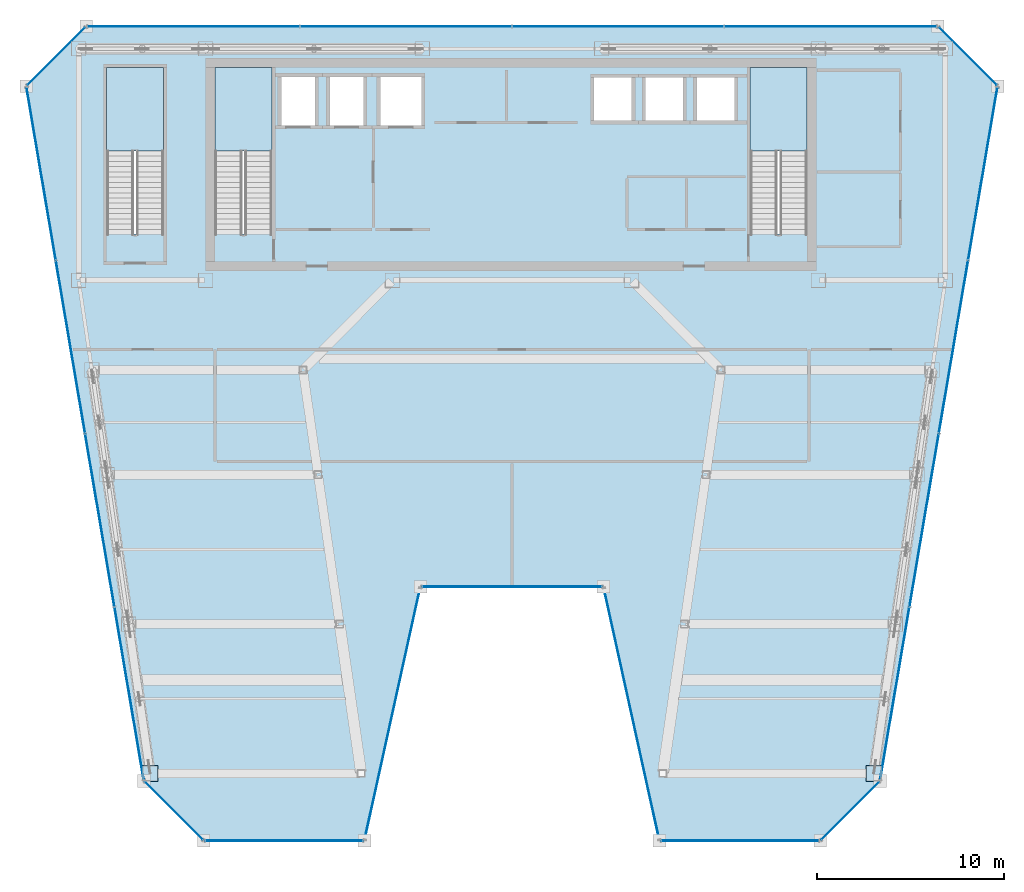
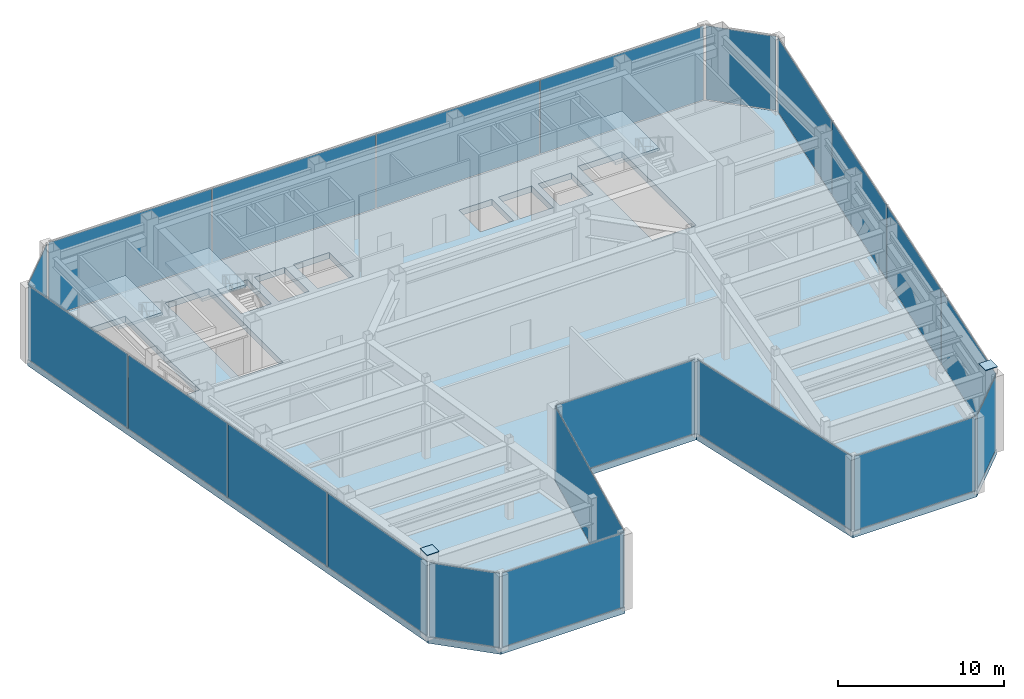
# One storey, part 28 of 34: 23 plates, 4 slabs, 15 elements without a shape of their own.
"""IFC4 building model written with IfcOpenShell, lengths in metres."""

from ifc_helpers import new_model, si_unit, direction, frame, origin, origin_2d, place, context, subcontext, project, spatial, polyline, rectangle, outline, extrude, material, layer, layer_set, type_object, element, aggregate, save


model = new_model("IFC4")

# Units and contexts
model_context = context("Model", 3, precision=1e-05, world=origin(), true_north=direction((0.0, 1.0)))
body_context = subcontext(model_context, "Body", "Model", "MODEL_VIEW")
ifc_project = project(units=[si_unit("LENGTHUNIT", "METRE"), si_unit("AREAUNIT", "SQUARE_METRE"), si_unit("VOLUMEUNIT", "CUBIC_METRE"), si_unit("PLANEANGLEUNIT", "RADIAN"), si_unit("MASSUNIT", "GRAM", prefix="KILO")], contexts=[model_context])

# Site, building, storey
site_placement = place(None, origin())
site = spatial("IfcSite", under=ifc_project, at=site_placement, CompositionType="ELEMENT")
building_placement = place(site_placement, origin())
building = spatial("IfcBuilding", under=site, at=building_placement, Name="Saevonmaru Cultural Tower", CompositionType="ELEMENT")
storey_placement = place(building_placement, frame((0.0, 0.0, 224.60009765625)))
storey = spatial("IfcBuildingStorey", under=building, at=storey_placement, Name="L52", CompositionType="ELEMENT", Elevation=224.60009765625)

# Plates
ifc_material_1 = material(Name="Steel HSA600 (600 MPa)", Category="steel")
ifc_layer_1 = layer(ifc_material_1, 0.0400390625, Name="Steel HSA600 (600 MPa)")
ifc_layer_set_1 = layer_set([ifc_layer_1], Name="Steel HSA600 (600 MPa)")
plate_type_1 = type_object("IfcPlateType", Name="PL-CAP-800", PredefinedType="USERDEFINED", material=ifc_layer_set_1)
for number, where, z_axis, x_axis, name in (
    (1, (49.3720703125, 16.0, 5.994873046875), (0.0, 0.0, 1.0), (1.0, 0.0, 0.0), "Column head cap plate TC-EO-Y160 L52"),
    (2, (10.6279296875, 16.0, 5.994873046875), (0.0, 0.0, 1.0), (1.0, 0.0, 0.0), "Column head cap plate TC-WO-Y160 L52"),
):
    element("IfcPlate", number, at=place(storey_placement, frame(where, z_axis=z_axis, x_axis=x_axis)), inside=storey, type_object=plate_type_1, Name=name, ObjectType="CAP_PLATE", PredefinedType="USERDEFINED", context=body_context, shape_type="SweptSolid", body=[
        extrude(rectangle(XDim=0.840087890625, YDim=0.840087890625, at=origin_2d()), origin(), (0.0, 0.0, 1.0), 0.0400390625),
    ])

# Curtain wall, plate
ifc_material_2 = material(Name="Satin Bronze Anodised Aluminium", Category="aluminium")
curtain_wall_type = type_object("IfcCurtainWallType", Name="CW-TYP-B", PredefinedType="NOTDEFINED", material=ifc_material_2)
curtain_wall_1_placement = place(storey_placement, origin())
curtain_wall_1 = element("IfcCurtainWall", 3, at=curtain_wall_1_placement, inside=storey, type_object=curtain_wall_type, Name="L52 Wind-Floor Acoustic Louvre Screen E1", PredefinedType="NOTDEFINED")
ifc_material_3 = material(Name="Champagne Bronze Anodised Aluminium", Category="aluminium")
ifc_layer_2 = layer(ifc_material_3, 0.080078125, Name="Champagne Bronze Anodised Aluminium")
ifc_layer_set_2 = layer_set([ifc_layer_2], Name="Champagne Bronze Anodised Aluminium")
plate_type_2 = type_object("IfcPlateType", Name="PN-LOUVRE-WIND", PredefinedType="CURTAIN_PANEL", material=ifc_layer_set_2)
plate_1_placement = place(storey_placement, frame((11.897705078125, 14.0, 0.06689453125), z_axis=(0.0, 0.0, 1.0), x_axis=(0.707106781187, -0.707106781187, 0.0)))
plate_1 = element("IfcPlate", 4, at=plate_1_placement, type_object=plate_type_2, Name="CW-TW-L52-E1 panel 1.1", PredefinedType="CURTAIN_PANEL", context=body_context, shape_type="SweptSolid", body=[
    extrude(rectangle(XDim=4.336669921875, YDim=0.035888671875, at=origin_2d()), origin(), (0.0, 0.0, 1.0), 5.416015625),
])
aggregate(curtain_wall_1, [plate_1])

curtain_wall_2_placement = place(storey_placement, origin())
curtain_wall_2 = element("IfcCurtainWall", 5, at=curtain_wall_2_placement, inside=storey, type_object=curtain_wall_type, Name="L52 Wind-Floor Acoustic Louvre Screen E2", PredefinedType="NOTDEFINED")
plate_2_placement = place(storey_placement, frame((17.7978515625, 12.39990234375, 0.06689453125), z_axis=(0.0, 0.0, 1.0), x_axis=(1.0, 0.0, 0.0)))
plate_2 = element("IfcPlate", 6, at=plate_2_placement, type_object=plate_type_2, Name="CW-TW-L52-E2 panel 1.1", PredefinedType="CURTAIN_PANEL", context=body_context, shape_type="SweptSolid", body=[
    extrude(rectangle(XDim=8.410888671875, YDim=0.035888671875, at=origin_2d()), origin(), (0.0, 0.0, 1.0), 5.416015625),
])
aggregate(curtain_wall_2, [plate_2])

curtain_wall_3_placement = place(storey_placement, origin())
curtain_wall_3 = element("IfcCurtainWall", 7, at=curtain_wall_3_placement, inside=storey, type_object=curtain_wall_type, Name="L52 Wind-Floor Acoustic Louvre Screen E3", PredefinedType="NOTDEFINED")
plate_3_placement = place(storey_placement, frame((23.597900390625, 19.199951171875, 0.06689453125), z_axis=(0.0, 0.0, 1.0), x_axis=(0.215413319953, 0.976522965212, 0.0)))
plate_3 = element("IfcPlate", 8, at=plate_3_placement, type_object=plate_type_2, Name="CW-TW-L52-E3 panel 1.1", PredefinedType="CURTAIN_PANEL", context=body_context, shape_type="SweptSolid", body=[
    extrude(rectangle(XDim=13.738037109375, YDim=0.035888671875, at=origin_2d()), origin(), (0.0, 0.0, 1.0), 5.416015625),
])
aggregate(curtain_wall_3, [plate_3])

curtain_wall_4_placement = place(storey_placement, origin())
curtain_wall_4 = element("IfcCurtainWall", 9, at=curtain_wall_4_placement, inside=storey, type_object=curtain_wall_type, Name="L52 Wind-Floor Acoustic Louvre Screen E4", PredefinedType="NOTDEFINED")
plate_4_placement = place(storey_placement, frame((30.0, 26.0, 0.06689453125), z_axis=(0.0, 0.0, 1.0), x_axis=(1.0, 0.0, 0.0)))
plate_4 = element("IfcPlate", 10, at=plate_4_placement, type_object=plate_type_2, Name="CW-TW-L52-E4 panel 1.1", PredefinedType="CURTAIN_PANEL", context=body_context, shape_type="SweptSolid", body=[
    extrude(rectangle(XDim=9.615478515625, YDim=0.035888671875, at=origin_2d()), origin(), (0.0, 0.0, 1.0), 5.416015625),
])
aggregate(curtain_wall_4, [plate_4])

curtain_wall_5_placement = place(storey_placement, origin())
curtain_wall_5 = element("IfcCurtainWall", 11, at=curtain_wall_5_placement, inside=storey, type_object=curtain_wall_type, Name="L52 Wind-Floor Acoustic Louvre Screen E5", PredefinedType="NOTDEFINED")
plate_5_placement = place(storey_placement, frame((36.402099609375, 19.199951171875, 0.06689453125), z_axis=(0.0, 0.0, 1.0), x_axis=(0.215413319953, -0.976522965212, 0.0)))
plate_5 = element("IfcPlate", 12, at=plate_5_placement, type_object=plate_type_2, Name="CW-TW-L52-E5 panel 1.1", PredefinedType="CURTAIN_PANEL", context=body_context, shape_type="SweptSolid", body=[
    extrude(rectangle(XDim=13.738037109375, YDim=0.035888671875, at=origin_2d()), origin(), (0.0, 0.0, 1.0), 5.416015625),
])
aggregate(curtain_wall_5, [plate_5])

curtain_wall_6_placement = place(storey_placement, origin())
curtain_wall_6 = element("IfcCurtainWall", 13, at=curtain_wall_6_placement, inside=storey, type_object=curtain_wall_type, Name="L52 Wind-Floor Acoustic Louvre Screen E6", PredefinedType="NOTDEFINED")
plate_6_placement = place(storey_placement, frame((42.2021484375, 12.39990234375, 0.06689453125), z_axis=(0.0, 0.0, 1.0), x_axis=(1.0, 0.0, 0.0)))
plate_6 = element("IfcPlate", 14, at=plate_6_placement, type_object=plate_type_2, Name="CW-TW-L52-E6 panel 1.1", PredefinedType="CURTAIN_PANEL", context=body_context, shape_type="SweptSolid", body=[
    extrude(rectangle(XDim=8.410888671875, YDim=0.035888671875, at=origin_2d()), origin(), (0.0, 0.0, 1.0), 5.416015625),
])
aggregate(curtain_wall_6, [plate_6])

curtain_wall_7_placement = place(storey_placement, origin())
curtain_wall_7 = element("IfcCurtainWall", 15, at=curtain_wall_7_placement, inside=storey, type_object=curtain_wall_type, Name="L52 Wind-Floor Acoustic Louvre Screen E7", PredefinedType="NOTDEFINED")
plate_7_placement = place(storey_placement, frame((48.102294921875, 14.0, 0.06689453125), z_axis=(0.0, 0.0, 1.0), x_axis=(0.707106781187, 0.707106781187, 0.0)))
plate_7 = element("IfcPlate", 16, at=plate_7_placement, type_object=plate_type_2, Name="CW-TW-L52-E7 panel 1.1", PredefinedType="CURTAIN_PANEL", context=body_context, shape_type="SweptSolid", body=[
    extrude(rectangle(XDim=4.336669921875, YDim=0.035888671875, at=origin_2d()), origin(), (0.0, 0.0, 1.0), 5.416015625),
])
aggregate(curtain_wall_7, [plate_7])

# Curtain wall, plates
curtain_wall_8_placement = place(storey_placement, origin())
curtain_wall_8 = element("IfcCurtainWall", 17, at=curtain_wall_8_placement, inside=storey, type_object=curtain_wall_type, Name="L52 Wind-Floor Acoustic Louvre Screen E8", PredefinedType="NOTDEFINED")
plate_8_placement = place(storey_placement, frame((50.496826171875, 20.29443359375, 0.06689453125), z_axis=(0.0, 0.0, 1.0), x_axis=(0.16692169721, 0.985970155228, 0.0)))
plate_8 = element("IfcPlate", 18, at=plate_8_placement, type_object=plate_type_2, Name="CW-TW-L52-E8 panel 1.1", PredefinedType="CURTAIN_PANEL", context=body_context, shape_type="SweptSolid", body=[
    extrude(rectangle(XDim=9.333251953125, YDim=0.035888671875, at=origin_2d()), origin(), (0.0, 0.0, 1.0), 5.416015625),
])
plate_9_placement = place(storey_placement, frame((52.06640625, 29.564697265625, 0.06689453125), z_axis=(0.0, 0.0, 1.0), x_axis=(0.16692169721, 0.985970155228, 0.0)))
plate_9 = element("IfcPlate", 19, at=plate_9_placement, type_object=plate_type_2, Name="CW-TW-L52-E8 panel 2.1", PredefinedType="CURTAIN_PANEL", context=body_context, shape_type="SweptSolid", body=[
    extrude(rectangle(XDim=9.333251953125, YDim=0.035888671875, at=origin_2d()), origin(), (0.0, 0.0, 1.0), 5.416015625),
])
plate_10_placement = place(storey_placement, frame((53.6357421875, 38.835205078125, 0.06689453125), z_axis=(0.0, 0.0, 1.0), x_axis=(0.16692169721, 0.985970155228, 0.0)))
plate_10 = element("IfcPlate", 20, at=plate_10_placement, type_object=plate_type_2, Name="CW-TW-L52-E8 panel 3.1", PredefinedType="CURTAIN_PANEL", context=body_context, shape_type="SweptSolid", body=[
    extrude(rectangle(XDim=9.333251953125, YDim=0.035888671875, at=origin_2d()), origin(), (0.0, 0.0, 1.0), 5.416015625),
])
plate_11_placement = place(storey_placement, frame((55.205322265625, 48.105712890625, 0.06689453125), z_axis=(0.0, 0.0, 1.0), x_axis=(0.16692169721, 0.985970155228, 0.0)))
plate_11 = element("IfcPlate", 21, at=plate_11_placement, type_object=plate_type_2, Name="CW-TW-L52-E8 panel 4.1", PredefinedType="CURTAIN_PANEL", context=body_context, shape_type="SweptSolid", body=[
    extrude(rectangle(XDim=9.333251953125, YDim=0.035888671875, at=origin_2d()), origin(), (0.0, 0.0, 1.0), 5.416015625),
])
aggregate(curtain_wall_8, [plate_8, plate_9, plate_10, plate_11])

# Curtain wall, plate
curtain_wall_9_placement = place(storey_placement, origin())
curtain_wall_9 = element("IfcCurtainWall", 22, at=curtain_wall_9_placement, inside=storey, type_object=curtain_wall_type, Name="L52 Wind-Floor Acoustic Louvre Screen E9", PredefinedType="NOTDEFINED")
plate_12_placement = place(storey_placement, frame((54.39990234375, 54.39990234375, 0.06689453125), z_axis=(0.0, 0.0, 1.0), x_axis=(-0.707106781187, 0.707106781187, 0.0)))
plate_12 = element("IfcPlate", 23, at=plate_12_placement, type_object=plate_type_2, Name="CW-TW-L52-E9 panel 1.1", PredefinedType="CURTAIN_PANEL", context=body_context, shape_type="SweptSolid", body=[
    extrude(rectangle(XDim=4.336669921875, YDim=0.035888671875, at=origin_2d()), origin(), (0.0, 0.0, 1.0), 5.416015625),
])
aggregate(curtain_wall_9, [plate_12])

# Curtain wall, plates
curtain_wall_10_placement = place(storey_placement, origin())
curtain_wall_10 = element("IfcCurtainWall", 24, at=curtain_wall_10_placement, inside=storey, type_object=curtain_wall_type, Name="L52 Wind-Floor Acoustic Louvre Screen E10", PredefinedType="NOTDEFINED")
plate_13_placement = place(storey_placement, frame((47.054931640625, 56.0, 0.06689453125), z_axis=(0.0, 0.0, 1.0), x_axis=(-1.0, 0.0, 0.0)))
plate_13 = element("IfcPlate", 25, at=plate_13_placement, type_object=plate_type_2, Name="CW-TW-L52-E10 panel 1.1", PredefinedType="CURTAIN_PANEL", context=body_context, shape_type="SweptSolid", body=[
    extrude(rectangle(XDim=11.301025390625, YDim=0.035888671875, at=origin_2d()), origin(), (0.0, 0.0, 1.0), 5.416015625),
])
plate_14_placement = place(storey_placement, frame((35.68505859375, 56.0, 0.06689453125), z_axis=(0.0, 0.0, 1.0), x_axis=(-1.0, 0.0, 0.0)))
plate_14 = element("IfcPlate", 26, at=plate_14_placement, type_object=plate_type_2, Name="CW-TW-L52-E10 panel 2.1", PredefinedType="CURTAIN_PANEL", context=body_context, shape_type="SweptSolid", body=[
    extrude(rectangle(XDim=11.301025390625, YDim=0.035888671875, at=origin_2d()), origin(), (0.0, 0.0, 1.0), 5.416015625),
])
plate_15_placement = place(storey_placement, frame((24.31494140625, 56.0, 0.06689453125), z_axis=(0.0, 0.0, 1.0), x_axis=(-1.0, 0.0, 0.0)))
plate_15 = element("IfcPlate", 27, at=plate_15_placement, type_object=plate_type_2, Name="CW-TW-L52-E10 panel 3.1", PredefinedType="CURTAIN_PANEL", context=body_context, shape_type="SweptSolid", body=[
    extrude(rectangle(XDim=11.301025390625, YDim=0.035888671875, at=origin_2d()), origin(), (0.0, 0.0, 1.0), 5.416015625),
])
plate_16_placement = place(storey_placement, frame((12.945068359375, 56.0, 0.06689453125), z_axis=(0.0, 0.0, 1.0), x_axis=(-1.0, 0.0, 0.0)))
plate_16 = element("IfcPlate", 28, at=plate_16_placement, type_object=plate_type_2, Name="CW-TW-L52-E10 panel 4.1", PredefinedType="CURTAIN_PANEL", context=body_context, shape_type="SweptSolid", body=[
    extrude(rectangle(XDim=11.301025390625, YDim=0.035888671875, at=origin_2d()), origin(), (0.0, 0.0, 1.0), 5.416015625),
])
aggregate(curtain_wall_10, [plate_13, plate_14, plate_15, plate_16])

# Curtain wall, plate
curtain_wall_11_placement = place(storey_placement, origin())
curtain_wall_11 = element("IfcCurtainWall", 29, at=curtain_wall_11_placement, inside=storey, type_object=curtain_wall_type, Name="L52 Wind-Floor Acoustic Louvre Screen E11", PredefinedType="NOTDEFINED")
plate_17_placement = place(storey_placement, frame((5.60009765625, 54.39990234375, 0.06689453125), z_axis=(0.0, 0.0, 1.0), x_axis=(-0.707106781187, -0.707106781187, 0.0)))
plate_17 = element("IfcPlate", 30, at=plate_17_placement, type_object=plate_type_2, Name="CW-TW-L52-E11 panel 1.1", PredefinedType="CURTAIN_PANEL", context=body_context, shape_type="SweptSolid", body=[
    extrude(rectangle(XDim=4.336669921875, YDim=0.035888671875, at=origin_2d()), origin(), (0.0, 0.0, 1.0), 5.416015625),
])
aggregate(curtain_wall_11, [plate_17])

# Curtain wall, plates
curtain_wall_12_placement = place(storey_placement, origin())
curtain_wall_12 = element("IfcCurtainWall", 31, at=curtain_wall_12_placement, inside=storey, type_object=curtain_wall_type, Name="L52 Wind-Floor Acoustic Louvre Screen E12", PredefinedType="NOTDEFINED")
plate_18_placement = place(storey_placement, frame((4.794677734375, 48.105712890625, 0.06689453125), z_axis=(0.0, 0.0, 1.0), x_axis=(0.16692169721, -0.985970155228, 0.0)))
plate_18 = element("IfcPlate", 32, at=plate_18_placement, type_object=plate_type_2, Name="CW-TW-L52-E12 panel 1.1", PredefinedType="CURTAIN_PANEL", context=body_context, shape_type="SweptSolid", body=[
    extrude(rectangle(XDim=9.333251953125, YDim=0.035888671875, at=origin_2d()), origin(), (0.0, 0.0, 1.0), 5.416015625),
])
plate_19_placement = place(storey_placement, frame((6.3642578125, 38.835205078125, 0.06689453125), z_axis=(0.0, 0.0, 1.0), x_axis=(0.16692169721, -0.985970155228, 0.0)))
plate_19 = element("IfcPlate", 33, at=plate_19_placement, type_object=plate_type_2, Name="CW-TW-L52-E12 panel 2.1", PredefinedType="CURTAIN_PANEL", context=body_context, shape_type="SweptSolid", body=[
    extrude(rectangle(XDim=9.333251953125, YDim=0.035888671875, at=origin_2d()), origin(), (0.0, 0.0, 1.0), 5.416015625),
])
plate_20_placement = place(storey_placement, frame((7.93359375, 29.564697265625, 0.06689453125), z_axis=(0.0, 0.0, 1.0), x_axis=(0.16692169721, -0.985970155228, 0.0)))
plate_20 = element("IfcPlate", 34, at=plate_20_placement, type_object=plate_type_2, Name="CW-TW-L52-E12 panel 3.1", PredefinedType="CURTAIN_PANEL", context=body_context, shape_type="SweptSolid", body=[
    extrude(rectangle(XDim=9.333251953125, YDim=0.035888671875, at=origin_2d()), origin(), (0.0, 0.0, 1.0), 5.416015625),
])
plate_21_placement = place(storey_placement, frame((9.503173828125, 20.29443359375, 0.06689453125), z_axis=(0.0, 0.0, 1.0), x_axis=(0.16692169721, -0.985970155228, 0.0)))
plate_21 = element("IfcPlate", 35, at=plate_21_placement, type_object=plate_type_2, Name="CW-TW-L52-E12 panel 4.1", PredefinedType="CURTAIN_PANEL", context=body_context, shape_type="SweptSolid", body=[
    extrude(rectangle(XDim=9.333251953125, YDim=0.035888671875, at=origin_2d()), origin(), (0.0, 0.0, 1.0), 5.416015625),
])
aggregate(curtain_wall_12, [plate_18, plate_19, plate_20, plate_21])

# Slab
ifc_material_4 = material(Name="Concrete C50/60", Category="concrete")
ifc_layer_3 = layer(ifc_material_4, 0.449951171875, Name="Concrete C50/60")
ifc_layer_set_3 = layer_set([ifc_layer_3], Name="Concrete C50/60")
slab_type_1 = type_object("IfcSlabType", Name="SL-FLR-450", PredefinedType="FLOOR", material=ifc_layer_set_3)
slab_1_placement = place(storey_placement, frame((0.0, 0.0, -0.4501953125)))
element("IfcSlab", 36, at=slab_1_placement, inside=storey, type_object=slab_type_1, Name="L52 Tower Structural Floor Slab", PredefinedType="FLOOR", context=body_context, shape_type="SweptSolid", body=[
    extrude(outline(polyline([(10.2978515625, 15.60009765625), (13.497802734375, 12.39990234375), (22.097900390625, 12.39990234375), (25.097900390625, 26.0), (34.902099609375, 26.0), (37.902099609375, 12.39990234375), (46.502197265625, 12.39990234375), (49.7021484375, 15.60009765625), (56.0, 52.800048828125), (52.800048828125, 56.0), (7.199951171875, 56.0), (4.0, 52.800048828125), (10.2978515625, 15.60009765625)]), holes=[polyline([(45.800048828125, 53.800048828125), (45.800048828125, 44.875), (42.75, 44.875), (42.75, 53.800048828125), (45.800048828125, 53.800048828125)]), polyline([(39.75, 50.800048828125), (39.75, 53.39990234375), (42.050048828125, 53.39990234375), (42.050048828125, 50.800048828125), (39.75, 50.800048828125)]), polyline([(37.0, 50.800048828125), (37.0, 53.39990234375), (39.300048828125, 53.39990234375), (39.300048828125, 50.800048828125), (37.0, 50.800048828125)]), polyline([(36.550048828125, 50.800048828125), (34.25, 50.800048828125), (34.25, 53.39990234375), (36.550048828125, 53.39990234375), (36.550048828125, 50.800048828125)]), polyline([(25.300048828125, 50.550048828125), (22.800048828125, 50.550048828125), (22.800048828125, 53.449951171875), (25.300048828125, 53.449951171875), (25.300048828125, 50.550048828125)]), polyline([(22.199951171875, 50.550048828125), (20.10009765625, 50.550048828125), (20.10009765625, 53.449951171875), (22.199951171875, 53.449951171875), (22.199951171875, 50.550048828125)]), polyline([(19.60009765625, 50.550048828125), (17.5, 50.550048828125), (17.5, 53.449951171875), (19.60009765625, 53.449951171875), (19.60009765625, 50.550048828125)]), polyline([(17.14990234375, 53.800048828125), (17.14990234375, 44.875), (14.10009765625, 44.875), (14.10009765625, 53.800048828125), (17.14990234375, 53.800048828125)]), polyline([(11.35009765625, 53.800048828125), (11.35009765625, 44.875), (8.300048828125, 44.875), (8.300048828125, 53.800048828125), (11.35009765625, 53.800048828125)])]), origin(), (0.0, 0.0, 1.0), 0.4501953125),
])

# Stair, slab
ifc_material_5 = material(Name="Concrete C40/50", Category="concrete")
stair_type = type_object("IfcStairType", Name="STR-DOGLEG-RC", PredefinedType="HALF_TURN_STAIR", material=ifc_material_5)
stair_1_placement = place(storey_placement, origin())
stair_1 = element("IfcStair", 37, at=stair_1_placement, inside=storey, type_object=stair_type, Name="L52 Protected exit stair ST-1", PredefinedType="HALF_TURN_STAIR")
ifc_layer_4 = layer(ifc_material_5, 0.199951171875, Name="Concrete C40/50")
ifc_layer_set_4 = layer_set([ifc_layer_4], Name="Concrete C40/50")
slab_type_2 = type_object("IfcSlabType", Name="SL-STAIR-LANDING", PredefinedType="LANDING", material=ifc_layer_set_4)
slab_2_placement = place(storey_placement, frame((0.0, 0.0, 2.7998046875)))
slab_2 = element("IfcSlab", 38, at=slab_2_placement, type_object=slab_type_2, Name="ST-1-L52 landing 1", PredefinedType="LANDING", context=body_context, shape_type="SweptSolid", body=[
    extrude(outline(polyline([(17.14990234375, 49.330078125), (17.14990234375, 53.800048828125), (14.10009765625, 53.800048828125), (14.10009765625, 49.330078125), (17.14990234375, 49.330078125)])), origin(), (0.0, 0.0, 1.0), 0.2001953125),
])
aggregate(stair_1, [slab_2])

stair_2_placement = place(storey_placement, origin())
stair_2 = element("IfcStair", 39, at=stair_2_placement, inside=storey, type_object=stair_type, Name="L52 Protected exit stair ST-2", PredefinedType="HALF_TURN_STAIR")
slab_3_placement = place(storey_placement, frame((0.0, 0.0, 2.7998046875)))
slab_3 = element("IfcSlab", 40, at=slab_3_placement, type_object=slab_type_2, Name="ST-2-L52 landing 1", PredefinedType="LANDING", context=body_context, shape_type="SweptSolid", body=[
    extrude(outline(polyline([(45.800048828125, 49.330078125), (45.800048828125, 53.800048828125), (42.75, 53.800048828125), (42.75, 49.330078125), (45.800048828125, 49.330078125)])), origin(), (0.0, 0.0, 1.0), 0.2001953125),
])
aggregate(stair_2, [slab_3])

stair_3_placement = place(storey_placement, origin())
stair_3 = element("IfcStair", 41, at=stair_3_placement, inside=storey, type_object=stair_type, Name="L52 Protected exit stair ST-3", PredefinedType="HALF_TURN_STAIR")
slab_4_placement = place(storey_placement, frame((0.0, 0.0, 2.7998046875)))
slab_4 = element("IfcSlab", 42, at=slab_4_placement, type_object=slab_type_2, Name="ST-3-L52 landing 1", PredefinedType="LANDING", context=body_context, shape_type="SweptSolid", body=[
    extrude(outline(polyline([(11.35009765625, 49.330078125), (11.35009765625, 53.800048828125), (8.300048828125, 53.800048828125), (8.300048828125, 49.330078125), (11.35009765625, 49.330078125)])), origin(), (0.0, 0.0, 1.0), 0.2001953125),
])
aggregate(stair_3, [slab_4])

save(model, "model.ifc")
